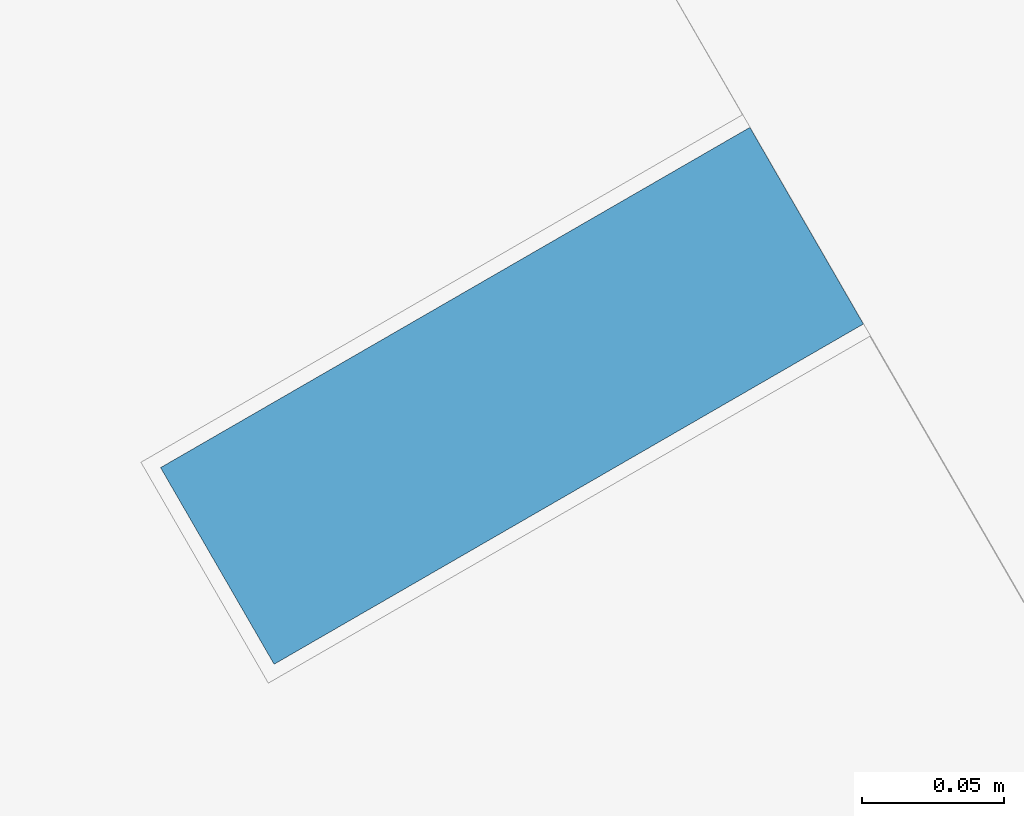
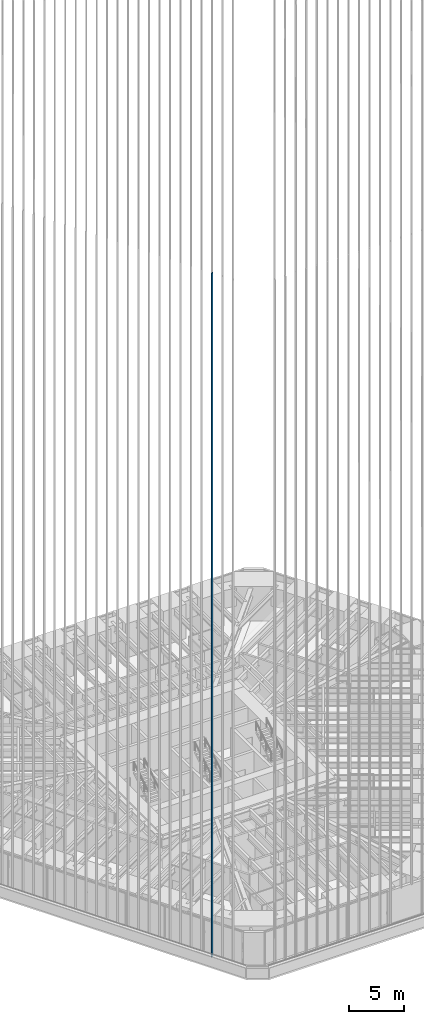
# One storey, part 14 of 238: 1 member, 1 element without a shape of its own.
"""IFC4 building model written with IfcOpenShell, lengths in metres."""

from ifc_helpers import new_model, si_unit, direction, frame, origin, origin_2d, place, context, subcontext, project, spatial, rectangle, extrude, material, material_profile, profile_set, type_object, element, aggregate, save


model = new_model("IFC4")

# Units and contexts
model_context = context("Model", 3, precision=1e-05, world=origin(), true_north=direction((0.0, 1.0)))
body_context = subcontext(model_context, "Body", "Model", "MODEL_VIEW")
ifc_project = project(units=[si_unit("LENGTHUNIT", "METRE"), si_unit("AREAUNIT", "SQUARE_METRE"), si_unit("VOLUMEUNIT", "CUBIC_METRE"), si_unit("PLANEANGLEUNIT", "RADIAN"), si_unit("MASSUNIT", "GRAM", prefix="KILO")], contexts=[model_context])

# Site, building, storey
site_placement = place(None, origin())
site = spatial("IfcSite", under=ifc_project, at=site_placement, CompositionType="ELEMENT")
building_placement = place(site_placement, origin())
building = spatial("IfcBuilding", under=site, at=building_placement, Name="Sandreach Pilgrim Tower", CompositionType="ELEMENT")
storey_placement = place(building_placement, frame((0.0, 0.0, 96.800048828125)))
storey = spatial("IfcBuildingStorey", under=building, at=storey_placement, Name="L23", CompositionType="ELEMENT", Elevation=96.800048828125)

# Curtain wall, member
ifc_material_1 = material(Name="Aluminium framed curtain wall", Category="aluminium")
curtain_wall_type = type_object("IfcCurtainWallType", Name="Hotel tower curtain wall", PredefinedType="NOTDEFINED", material=ifc_material_1)
curtain_wall_placement = place(storey_placement, origin())
curtain_wall = element("IfcCurtainWall", 1, at=curtain_wall_placement, inside=storey, type_object=curtain_wall_type, Name="CW-2 L23 SW", PredefinedType="NOTDEFINED")
ifc_material_2 = material(Name="Extruded terracotta on aluminium core", Category="masonry")
ifc_material_profile = material_profile(ifc_material_2, rectangle(XDim=0.080078125, YDim=0.239990234375, at=origin_2d()), Name="TBW 80X240")
ifc_profile_set = profile_set([ifc_material_profile], Name="Extruded terracotta on aluminium core")
member_type = type_object("IfcMemberType", Name="Terracotta baguette west", PredefinedType="USERDEFINED", material=ifc_profile_set)
member_placement = place(storey_placement, frame((-12.134033203125, -24.810791015625, 0.0), z_axis=(0.0, 0.0, 1.0), x_axis=(-0.5, 0.866025403784, 0.0)))
member = element("IfcMember", 2, at=member_placement, type_object=member_type, Name="Baguette Z2 SW03", ObjectType="BAGUETTE", PredefinedType="USERDEFINED", context=body_context, shape_type="SweptSolid", body=[
    extrude(rectangle(XDim=0.080078125, YDim=0.239990234375, at=origin_2d()), origin(), (0.0, 0.0, 1.0), 75.83984375),
])
aggregate(curtain_wall, [member])

save(model, "model.ifc")
